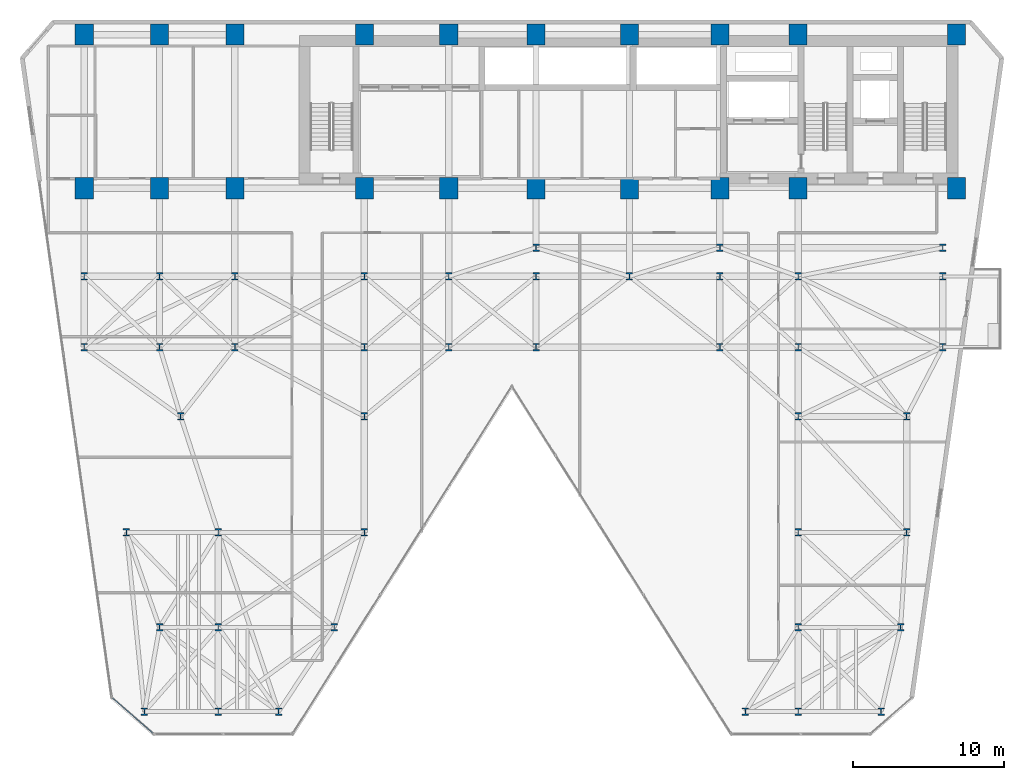
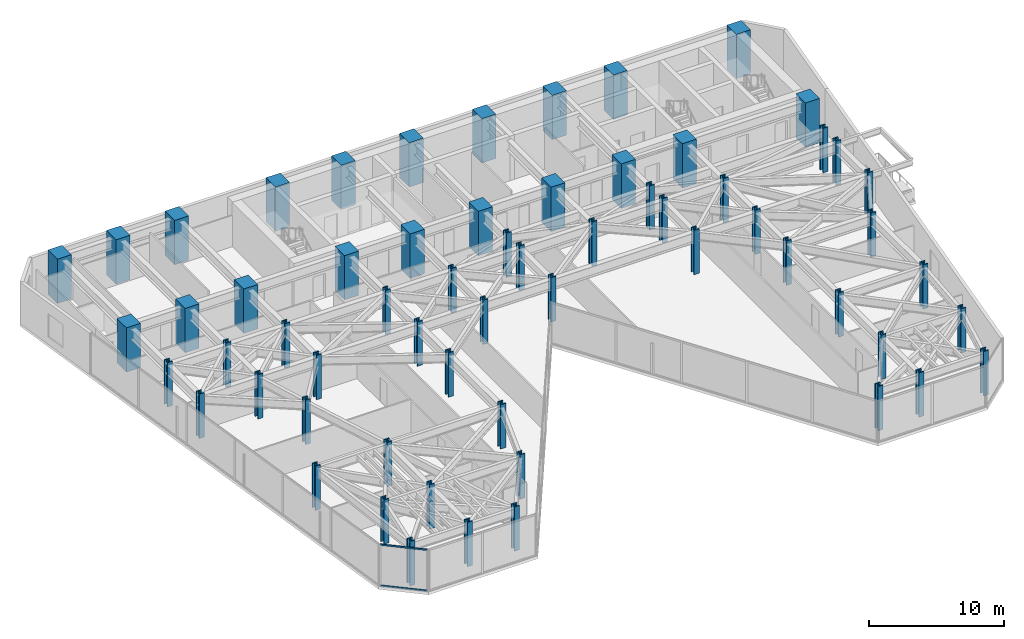
# One storey, part 1 of 24: 62 columns, 2 members, 1 element without a shape of its own.
"""IFC4 building model written with IfcOpenShell, lengths in metres."""

import ifcopenshell
import ifcopenshell.guid

model = None  # the IFC model being written
_history = None  # IfcOwnerHistory: only IFC2X3 demands one
_inside = {}  # id of a spatial element -> (the spatial element, [elements in it])
_under = {}  # id of a project, library or spatial element -> (it, [spatial elements below it])
_declared = {}  # id of a project -> (the project, [libraries it declares])
_typed = {}  # id of a type object -> (the type object, [elements of that type])
_made_of = {}  # id of a material, layer set ... -> (it, [elements and type objects made of it])


def new_model(schema):
    """Start an empty IFC model of exactly this schema.

    Asked for "IFC4X3", IfcOpenShell would pick the latest addendum, in which some entities
    have other attributes; the version numbers below select the first issue.
    IFC2X3 requires an IfcOwnerHistory on every rooted entity: one is made here for all.
    """
    global model, _history
    if schema == "IFC4X3":
        model = ifcopenshell.file(schema_version=(4, 3, 0, 0))
    else:
        model = ifcopenshell.file(schema=schema)
    _inside.clear()
    _under.clear()
    _declared.clear()
    _typed.clear()
    _made_of.clear()
    _history = None
    if model.schema == "IFC2X3":
        org = make("IfcOrganization", Name="unknown")
        user = make(
            "IfcPersonAndOrganization",
            ThePerson=make("IfcPerson", FamilyName="unknown"),
            TheOrganization=org,
        )
        app = make(
            "IfcApplication",
            ApplicationDeveloper=org,
            Version="unknown",
            ApplicationFullName="unknown",
            ApplicationIdentifier="unknown",
        )
        _history = make(
            "IfcOwnerHistory",
            OwningUser=user,
            OwningApplication=app,
            ChangeAction="ADDED",
            CreationDate=0,
        )
    return model


def make(cls, **values):
    """One entity of the class cls with the attributes given. An attribute that is None is left unset."""
    return model.create_entity(
        cls, **{name: value for name, value in values.items() if value is not None}
    )


def rooted(cls, **values):
    """An entity with a GlobalId (a new one), such as an element, a storey or a relation."""
    return make(cls, GlobalId=ifcopenshell.guid.new(), OwnerHistory=_history, **values)


def si_unit(unit_type, name, prefix=None):
    """IfcSIUnit, for example si_unit("LENGTHUNIT", "METRE", prefix="MILLI")."""
    return make("IfcSIUnit", UnitType=unit_type, Prefix=prefix, Name=name)


def assignment(units):
    """IfcUnitAssignment: the units of a project."""
    return None if units is None else make("IfcUnitAssignment", Units=units)


def point(xyz):
    """IfcCartesianPoint."""
    return None if xyz is None else make("IfcCartesianPoint", Coordinates=xyz)


def direction(xyz):
    """IfcDirection."""
    return None if xyz is None else make("IfcDirection", DirectionRatios=xyz)


def frame(location, z_axis=None, x_axis=None):
    """IfcAxis2Placement3D, a coordinate frame: its origin and axes. An axis left out is left unset."""
    return make(
        "IfcAxis2Placement3D",
        Location=point(location),
        Axis=direction(z_axis),
        RefDirection=direction(x_axis),
    )


def frame_2d(location, x_axis=None):
    """IfcAxis2Placement2D, a coordinate frame in the plane: its origin and x axis."""
    return make(
        "IfcAxis2Placement2D", Location=point(location), RefDirection=direction(x_axis)
    )


def origin():
    """The frame at (0, 0, 0) with its axes left unset."""
    return frame((0.0, 0.0, 0.0))


def origin_2d():
    """The frame at (0, 0) in the plane with its x axis left unset."""
    return frame_2d((0.0, 0.0))


def place(relative_to, where):
    """IfcLocalPlacement: puts the frame where relative to a parent placement (None: the world)."""
    return make(
        "IfcLocalPlacement", PlacementRelTo=relative_to, RelativePlacement=where
    )


def context(
    kind, dimensions, precision=None, world=None, true_north=None, identifier=None
):
    """IfcGeometricRepresentationContext, for example the 3D "Model" context."""
    return make(
        "IfcGeometricRepresentationContext",
        ContextIdentifier=identifier,
        ContextType=kind,
        CoordinateSpaceDimension=dimensions,
        Precision=precision,
        WorldCoordinateSystem=world,
        TrueNorth=true_north,
    )


def subcontext(parent, identifier, kind, view, scale=None):
    """IfcGeometricRepresentationSubContext, for example "Body" below "Model"."""
    return make(
        "IfcGeometricRepresentationSubContext",
        ContextIdentifier=identifier,
        ContextType=kind,
        ParentContext=parent,
        TargetScale=scale,
        TargetView=view,
    )


def project(units=None, contexts=None):
    """IfcProject with its units and contexts."""
    return rooted(
        "IfcProject",
        Name="project",
        RepresentationContexts=contexts,
        UnitsInContext=assignment(units),
    )


def spatial(cls, under=None, at=None, **own):
    """A site, building, storey or space (cls), placed at a placement, below another one or the project."""
    s = rooted(cls, ObjectPlacement=at, **own)
    if under is not None:
        _under.setdefault(under.id(), (under, []))[1].append(s)
    return s


def profile(cls, at=None, kind="AREA", **sizes):
    """A parametric profile (cls). Its sizes go by their IFC names, for example OverallWidth=200.0."""
    return make(cls, ProfileType=kind, Position=at, **sizes)


def rectangle(**sizes):
    """IfcRectangleProfileDef."""
    return profile("IfcRectangleProfileDef", **sizes)


def hollow_rectangle(**sizes):
    """IfcRectangleHollowProfileDef."""
    return profile("IfcRectangleHollowProfileDef", **sizes)


def i_section(**sizes):
    """IfcIShapeProfileDef."""
    return profile("IfcIShapeProfileDef", **sizes)


def extrude(swept, where, along, depth):
    """IfcExtrudedAreaSolid: the profile swept, set in the frame where, extruded along a direction by depth."""
    return make(
        "IfcExtrudedAreaSolid",
        SweptArea=swept,
        Position=where,
        ExtrudedDirection=direction(along),
        Depth=depth,
    )


def shape(context_of_items, identifier, shape_type, items):
    """IfcShapeRepresentation: the items that make up one representation, for example the "Body"."""
    return make(
        "IfcShapeRepresentation",
        ContextOfItems=context_of_items,
        RepresentationIdentifier=identifier,
        RepresentationType=shape_type,
        Items=items,
    )


def material(Name=None, Category=None):
    """IfcMaterial."""
    return make("IfcMaterial", Name=Name, Category=Category)


def layer(
    of_material, thickness, ventilated=None, Name=None, Category=None, Priority=None
):
    """IfcMaterialLayer: one layer of a wall or slab, of a material (None: an air gap)."""
    return make(
        "IfcMaterialLayer",
        Material=of_material,
        LayerThickness=thickness,
        IsVentilated=ventilated,
        Name=Name,
        Category=Category,
        Priority=Priority,
    )


def layer_set(layers, Name=None):
    """IfcMaterialLayerSet."""
    return make("IfcMaterialLayerSet", MaterialLayers=layers, LayerSetName=Name)


def material_profile(
    of_material, cross_section, Name=None, Category=None, Priority=None
):
    """IfcMaterialProfile: a cross section and its material."""
    return make(
        "IfcMaterialProfile",
        Name=Name,
        Material=of_material,
        Profile=cross_section,
        Priority=Priority,
        Category=Category,
    )


def profile_set(profiles, Name=None, composite=None):
    """IfcMaterialProfileSet."""
    return make(
        "IfcMaterialProfileSet",
        Name=Name,
        MaterialProfiles=profiles,
        CompositeProfile=composite,
    )


def made_of(thing, what):
    """Note that an element or type object is made of a material, layer set ...; save() writes the relation."""
    if what is not None:
        _made_of.setdefault(what.id(), (what, []))[1].append(thing)
    return thing


def type_object(cls, material=None, **own):
    """A type object (cls), such as IfcWallType, which elements share."""
    return made_of(rooted(cls, **own), material)


def element(
    cls,
    number,
    at=None,
    inside=None,
    cuts=None,
    type_object=None,
    material=None,
    context=None,
    identifier="Body",
    shape_type=None,
    held_by="IfcProductDefinitionShape",
    body=None,
    shapes=None,
    **own,
):
    """One element of the class cls, such as IfcWall. Its Tag is "e" and its number.

    at: its placement. inside: the storey or other place that contains it. cuts: it is an
    opening in that element (IfcRelVoidsElement). A single representation is given by context,
    identifier, shape_type and body (its items); several are given by shapes. held_by: the class
    of the entity that holds the representations. save() writes the other relations.
    """
    e = rooted(cls, Tag="e%d" % number, ObjectPlacement=at, **own)
    if body is not None:
        shapes = [shape(context, identifier, shape_type, body)]
    if shapes is not None:
        e.Representation = make(held_by, Representations=shapes)
    if inside is not None:
        _inside.setdefault(inside.id(), (inside, []))[1].append(e)
    if cuts is not None:
        rooted(
            "IfcRelVoidsElement", RelatingBuildingElement=cuts, RelatedOpeningElement=e
        )
    if type_object is not None:
        _typed.setdefault(type_object.id(), (type_object, []))[1].append(e)
    return made_of(e, material)


def aggregate(whole, parts):
    """IfcRelAggregates: a whole, such as a stair, and the parts it consists of."""
    return rooted("IfcRelAggregates", RelatingObject=whole, RelatedObjects=parts)


def save(model, path):
    """Write the relations noted so far, then the file.

    IfcRelAggregates (storeys below a building ...), IfcRelContainedInSpatialStructure (elements
    in a storey), IfcRelDefinesByType, IfcRelAssociatesMaterial and IfcRelDeclares: one each for
    every whole, place, type object, material and project.
    """
    for whole, parts in _under.values():
        aggregate(whole, parts)
    for where, things in _inside.values():
        rooted(
            "IfcRelContainedInSpatialStructure",
            RelatedElements=things,
            RelatingStructure=where,
        )
    for kind, things in _typed.values():
        rooted("IfcRelDefinesByType", RelatedObjects=things, RelatingType=kind)
    for what, things in _made_of.values():
        rooted("IfcRelAssociatesMaterial", RelatedObjects=things, RelatingMaterial=what)
    for by, libraries in _declared.values():
        rooted("IfcRelDeclares", RelatingContext=by, RelatedDefinitions=libraries)
    model.write(path)


model = new_model("IFC4")

# Units and contexts
model_context = context("Model", 3, precision=1e-05, world=origin(), true_north=direction((0.0, 1.0)))
body_context = subcontext(model_context, "Body", "Model", "MODEL_VIEW")
ifc_project = project(units=[si_unit("LENGTHUNIT", "METRE"), si_unit("AREAUNIT", "SQUARE_METRE"), si_unit("VOLUMEUNIT", "CUBIC_METRE"), si_unit("PLANEANGLEUNIT", "RADIAN"), si_unit("MASSUNIT", "GRAM", prefix="KILO")], contexts=[model_context])

# Site, building, storey
site_placement = place(None, origin())
site = spatial("IfcSite", under=ifc_project, at=site_placement, CompositionType="ELEMENT")
building_placement = place(site_placement, origin())
building = spatial("IfcBuilding", under=site, at=building_placement, Name="Kravanh Interchange Tower", CompositionType="ELEMENT")
storey_placement = place(building_placement, frame((0.0, 0.0, 77.5)))
storey = spatial("IfcBuildingStorey", under=building, at=storey_placement, Name="L18", CompositionType="ELEMENT", Elevation=77.5)

# Columns
ifc_material_1 = material(Name="Concrete C70/85", Category="concrete")
ifc_material_profile_1 = material_profile(ifc_material_1, rectangle(XDim=1.199951171875, YDim=1.39990234375, at=origin_2d()), Name="RC1200X1400")
ifc_profile_set_1 = profile_set([ifc_material_profile_1], Name="Concrete C70/85")
column_type_1 = type_object("IfcColumnType", Name="Column RC1200X1400 Concrete C70/85", PredefinedType="COLUMN", material=ifc_profile_set_1)
for number, where, z_axis, x_axis, name in (
    (1, (66.5, 47.550048828125, 0.0), (0.0, 0.0, 1.0), (1.0, 0.0, 0.0), "L18 Column CS01"),
    (2, (56.0, 47.550048828125, 0.0), (0.0, 0.0, 1.0), (1.0, 0.0, 0.0), "L18 Column CS02"),
    (3, (66.5, 37.35009765625, 0.0), (0.0, 0.0, 1.0), (1.0, 0.0, 0.0), "L18 Column CS03"),
    (4, (56.0, 37.35009765625, 0.0), (0.0, 0.0, 1.0), (1.0, 0.0, 0.0), "L18 Column CS04"),
    (5, (50.800048828125, 47.550048828125, 0.0), (0.0, 0.0, 1.0), (1.0, 0.0, 0.0), "L18 Column CS05"),
    (6, (50.800048828125, 37.35009765625, 0.0), (0.0, 0.0, 1.0), (1.0, 0.0, 0.0), "L18 Column CS06"),
    (7, (44.800048828125, 37.35009765625, 0.0), (0.0, 0.0, 1.0), (1.0, 0.0, 0.0), "L18 Column CS07"),
    (8, (44.800048828125, 47.550048828125, 0.0), (0.0, 0.0, 1.0), (1.0, 0.0, 0.0), "L18 Column CS08"),
    (9, (38.60009765625, 37.35009765625, 0.0), (0.0, 0.0, 1.0), (1.0, 0.0, 0.0), "L18 Column CS09"),
    (10, (38.60009765625, 47.550048828125, 0.0), (0.0, 0.0, 1.0), (1.0, 0.0, 0.0), "L18 Column CS10"),
    (11, (32.800048828125, 37.35009765625, 0.0), (0.0, 0.0, 1.0), (1.0, 0.0, 0.0), "L18 Column CS11"),
    (12, (32.800048828125, 47.550048828125, 0.0), (0.0, 0.0, 1.0), (1.0, 0.0, 0.0), "L18 Column CS12"),
    (13, (27.199951171875, 37.35009765625, 0.0), (0.0, 0.0, 1.0), (1.0, 0.0, 0.0), "L18 Column CS13"),
    (14, (27.199951171875, 47.550048828125, 0.0), (0.0, 0.0, 1.0), (1.0, 0.0, 0.0), "L18 Column CS14"),
    (15, (18.60009765625, 37.35009765625, 0.0), (0.0, 0.0, 1.0), (1.0, 0.0, 0.0), "L18 Column CS17"),
    (16, (18.60009765625, 47.550048828125, 0.0), (0.0, 0.0, 1.0), (1.0, 0.0, 0.0), "L18 Column CS18"),
    (17, (13.60009765625, 37.35009765625, 0.0), (0.0, 0.0, 1.0), (1.0, 0.0, 0.0), "L18 Column CS19"),
    (18, (13.60009765625, 47.550048828125, 0.0), (0.0, 0.0, 1.0), (1.0, 0.0, 0.0), "L18 Column CS20"),
    (19, (8.60009765625, 37.35009765625, 0.0), (0.0, 0.0, 1.0), (1.0, 0.0, 0.0), "L18 Column CS21"),
    (20, (8.60009765625, 47.550048828125, 0.0), (0.0, 0.0, 1.0), (1.0, 0.0, 0.0), "L18 Column CS22"),
):
    element("IfcColumn", number, at=place(storey_placement, frame(where, z_axis=z_axis, x_axis=x_axis)), inside=storey, type_object=column_type_1, Name=name, PredefinedType="COLUMN", context=body_context, shape_type="SweptSolid", body=[
        extrude(rectangle(XDim=1.199951171875, YDim=1.39990234375, at=origin_2d()), origin(), (0.0, 0.0, 1.0), 4.0),
    ])
ifc_material_2 = material(Name="Structural Steel S450", Category="steel")
ifc_material_profile_2 = material_profile(ifc_material_2, i_section(OverallWidth=0.431884765625, OverallDepth=0.498046875, WebThickness=0.0556640625, FlangeThickness=0.0888671875, FilletRadius=0.030029296875, at=origin_2d()), Name="W14X500")
ifc_profile_set_2 = profile_set([ifc_material_profile_2], Name="Structural Steel S450")
column_type_2 = type_object("IfcColumnType", Name="Column W14X500 Structural Steel S450", PredefinedType="COLUMN", material=ifc_profile_set_2)
for number, where, z_axis, x_axis, name in (
    (21, (12.60009765625, 2.60009765625, 0.0), (0.0, 0.0, 1.0), (1.0, 0.0, 0.0), "L18 Column CZ1_1"),
    (22, (56.0, 14.5, 0.0), (0.0, 0.0, 1.0), (1.0, 0.0, 0.0), "L18 Column CZ1_10"),
    (23, (63.199951171875, 14.5, 0.0), (0.0, 0.0, 1.0), (1.0, 0.0, 0.0), "L18 Column CZ1_11"),
    (24, (15.0, 22.199951171875, 0.0), (0.0, 0.0, 1.0), (1.0, 0.0, 0.0), "L18 Column CZ1_11B"),
    (25, (27.199951171875, 22.199951171875, 0.0), (0.0, 0.0, 1.0), (1.0, 0.0, 0.0), "L18 Column CZ1_11C"),
    (26, (56.0, 22.199951171875, 0.0), (0.0, 0.0, 1.0), (1.0, 0.0, 0.0), "L18 Column CZ1_11D"),
    (27, (63.199951171875, 22.199951171875, 0.0), (0.0, 0.0, 1.0), (1.0, 0.0, 0.0), "L18 Column CZ1_11E"),
    (28, (8.60009765625, 26.800048828125, 0.0), (0.0, 0.0, 1.0), (1.0, 0.0, 0.0), "L18 Column CZ1_12"),
    (29, (13.60009765625, 26.800048828125, 0.0), (0.0, 0.0, 1.0), (1.0, 0.0, 0.0), "L18 Column CZ1_13"),
    (30, (18.60009765625, 26.800048828125, 0.0), (0.0, 0.0, 1.0), (1.0, 0.0, 0.0), "L18 Column CZ1_14"),
    (31, (27.199951171875, 26.800048828125, 0.0), (0.0, 0.0, 1.0), (1.0, 0.0, 0.0), "L18 Column CZ1_15"),
    (32, (32.800048828125, 26.800048828125, 0.0), (0.0, 0.0, 1.0), (1.0, 0.0, 0.0), "L18 Column CZ1_16"),
    (33, (38.60009765625, 26.800048828125, 0.0), (0.0, 0.0, 1.0), (1.0, 0.0, 0.0), "L18 Column CZ1_16B"),
    (34, (50.800048828125, 26.800048828125, 0.0), (0.0, 0.0, 1.0), (1.0, 0.0, 0.0), "L18 Column CZ1_17"),
    (35, (56.0, 26.800048828125, 0.0), (0.0, 0.0, 1.0), (1.0, 0.0, 0.0), "L18 Column CZ1_18"),
    (36, (65.60009765625, 26.800048828125, 0.0), (0.0, 0.0, 1.0), (1.0, 0.0, 0.0), "L18 Column CZ1_19"),
    (37, (8.60009765625, 31.5, 0.0), (0.0, 0.0, 1.0), (1.0, 0.0, 0.0), "L18 Column CZ1_19B"),
    (38, (13.60009765625, 31.5, 0.0), (0.0, 0.0, 1.0), (1.0, 0.0, 0.0), "L18 Column CZ1_19C"),
    (39, (17.5, 2.60009765625, 0.0), (0.0, 0.0, 1.0), (1.0, 0.0, 0.0), "L18 Column CZ1_2"),
    (40, (18.60009765625, 31.5, 0.0), (0.0, 0.0, 1.0), (1.0, 0.0, 0.0), "L18 Column CZ1_20"),
    (41, (27.199951171875, 31.5, 0.0), (0.0, 0.0, 1.0), (1.0, 0.0, 0.0), "L18 Column CZ1_21"),
    (42, (32.800048828125, 31.5, 0.0), (0.0, 0.0, 1.0), (1.0, 0.0, 0.0), "L18 Column CZ1_22"),
    (43, (38.60009765625, 31.5, 0.0), (0.0, 0.0, 1.0), (1.0, 0.0, 0.0), "L18 Column CZ1_23"),
    (44, (44.800048828125, 31.5, 0.0), (0.0, 0.0, 1.0), (1.0, 0.0, 0.0), "L18 Column CZ1_24"),
    (45, (50.800048828125, 31.5, 0.0), (0.0, 0.0, 1.0), (1.0, 0.0, 0.0), "L18 Column CZ1_25"),
    (46, (56.0, 31.5, 0.0), (0.0, 0.0, 1.0), (1.0, 0.0, 0.0), "L18 Column CZ1_26"),
    (47, (65.60009765625, 31.5, 0.0), (0.0, 0.0, 1.0), (1.0, 0.0, 0.0), "L18 Column CZ1_27"),
    (48, (21.5, 2.60009765625, 0.0), (0.0, 0.0, 1.0), (1.0, 0.0, 0.0), "L18 Column CZ1_3"),
    (49, (52.5, 2.60009765625, 0.0), (0.0, 0.0, 1.0), (1.0, 0.0, 0.0), "L18 Column CZ1_4"),
    (50, (56.0, 2.60009765625, 0.0), (0.0, 0.0, 1.0), (1.0, 0.0, 0.0), "L18 Column CZ1_5"),
    (51, (61.5, 2.60009765625, 0.0), (0.0, 0.0, 1.0), (1.0, 0.0, 0.0), "L18 Column CZ1_5B"),
    (52, (13.60009765625, 8.199951171875, 0.0), (0.0, 0.0, 1.0), (1.0, 0.0, 0.0), "L18 Column CZ1_6"),
    (53, (17.5, 8.199951171875, 0.0), (0.0, 0.0, 1.0), (1.0, 0.0, 0.0), "L18 Column CZ1_6B"),
    (54, (25.199951171875, 8.199951171875, 0.0), (0.0, 0.0, 1.0), (1.0, 0.0, 0.0), "L18 Column CZ1_6C"),
    (55, (56.0, 8.199951171875, 0.0), (0.0, 0.0, 1.0), (1.0, 0.0, 0.0), "L18 Column CZ1_6D"),
    (56, (62.800048828125, 8.199951171875, 0.0), (0.0, 0.0, 1.0), (1.0, 0.0, 0.0), "L18 Column CZ1_6E"),
    (57, (11.39990234375, 14.5, 0.0), (0.0, 0.0, 1.0), (1.0, 0.0, 0.0), "L18 Column CZ1_7"),
    (58, (17.5, 14.5, 0.0), (0.0, 0.0, 1.0), (1.0, 0.0, 0.0), "L18 Column CZ1_7B"),
    (59, (27.199951171875, 14.5, 0.0), (0.0, 0.0, 1.0), (1.0, 0.0, 0.0), "L18 Column CZ1_8"),
    (60, (38.60009765625, 33.39990234375, 0.0), (0.0, 0.0, 1.0), (1.0, 0.0, 0.0), "L18 Column CZ1_M1"),
    (61, (50.800048828125, 33.39990234375, 0.0), (0.0, 0.0, 1.0), (1.0, 0.0, 0.0), "L18 Column CZ1_M2"),
    (62, (65.60009765625, 33.39990234375, 0.0), (0.0, 0.0, 1.0), (1.0, 0.0, 0.0), "L18 Column CZ1_M3"),
):
    element("IfcColumn", number, at=place(storey_placement, frame(where, z_axis=z_axis, x_axis=x_axis)), inside=storey, type_object=column_type_2, Name=name, PredefinedType="COLUMN", context=body_context, shape_type="SweptSolid", body=[
        extrude(i_section(OverallWidth=0.431884765625, OverallDepth=0.498046875, WebThickness=0.0556640625, FlangeThickness=0.0888671875, FilletRadius=0.030029296875, at=origin_2d()), origin(), (0.0, 0.0, 1.0), 4.0),
    ])

# Curtain wall, members
ifc_material_3 = material(Name="Anodised Bronze Aluminium", Category="aluminium")
ifc_layer = layer(ifc_material_3, 0.179931640625)
ifc_layer_set = layer_set([ifc_layer], Name="Unitised Curtain Wall System CW-Z1 Lower Office")
curtain_wall_type = type_object("IfcCurtainWallType", Name="Unitised Curtain Wall System CW-Z1 Lower Office", PredefinedType="NOTDEFINED", material=ifc_layer_set)
curtain_wall_placement = place(storey_placement, origin())
curtain_wall = element("IfcCurtainWall", 63, at=curtain_wall_placement, inside=storey, type_object=curtain_wall_type, Name="L18 Unitised Curtain Wall CW-L18-07", PredefinedType="NOTDEFINED")
ifc_material_4 = material(Name="Anodised Bronze Aluminium", Category="aluminium")
ifc_material_profile_3 = material_profile(ifc_material_4, hollow_rectangle(XDim=0.06005859375, YDim=0.139892578125, WallThickness=0.00390625, at=origin_2d()), Name="ALU60X140X4")
ifc_profile_set_3 = profile_set([ifc_material_profile_3], Name="Anodised Bronze Aluminium")
member_type = type_object("IfcMemberType", Name="Curtain Wall Transom ALU60X140X4 Bronze", PredefinedType="USERDEFINED", material=ifc_profile_set_3)
member_1_placement = place(storey_placement, frame((13.167724609375, 1.166015625, 0.030029296875), z_axis=(-0.754710815466, 0.656057608004, 0.0), x_axis=(-0.656057608004, -0.754710815466, 0.0)))
member_1 = element("IfcMember", 64, at=member_1_placement, type_object=member_type, Name="CW-Z1 transom 1.1", ObjectType="TRANSOM", PredefinedType="USERDEFINED", context=body_context, shape_type="SweptSolid", body=[
    extrude(hollow_rectangle(XDim=0.06005859375, YDim=0.139892578125, WallThickness=0.00390625, at=origin_2d()), origin(), (0.0, 0.0, 1.0), 3.543701171875),
])
member_2_placement = place(storey_placement, frame((13.167724609375, 1.166015625, 3.7099609375), z_axis=(-0.754710815466, 0.656057608004, 0.0), x_axis=(-0.656057608004, -0.754710815466, 0.0)))
member_2 = element("IfcMember", 65, at=member_2_placement, type_object=member_type, Name="CW-Z1 transom 1.2", ObjectType="TRANSOM", PredefinedType="USERDEFINED", context=body_context, shape_type="SweptSolid", body=[
    extrude(hollow_rectangle(XDim=0.06005859375, YDim=0.139892578125, WallThickness=0.00390625, at=origin_2d()), origin(), (0.0, 0.0, 1.0), 3.543701171875),
])
aggregate(curtain_wall, [member_1, member_2])

save(model, "model.ifc")
